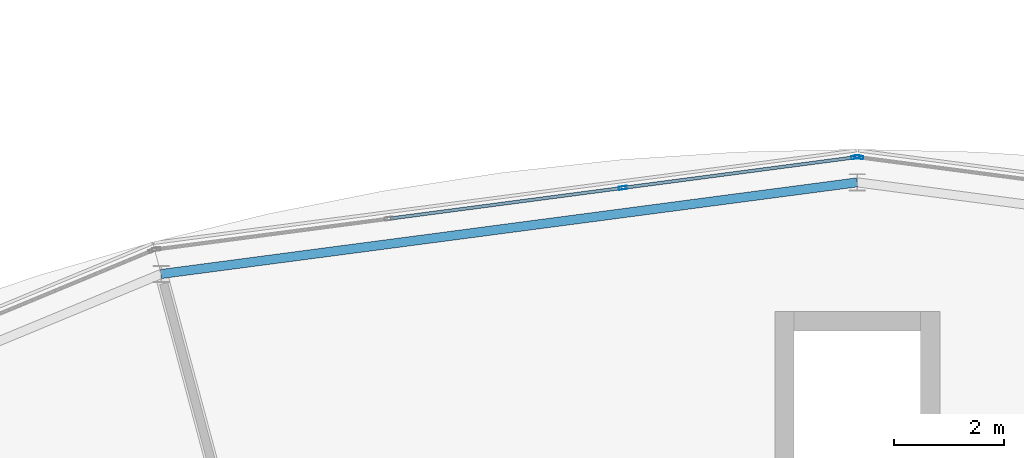
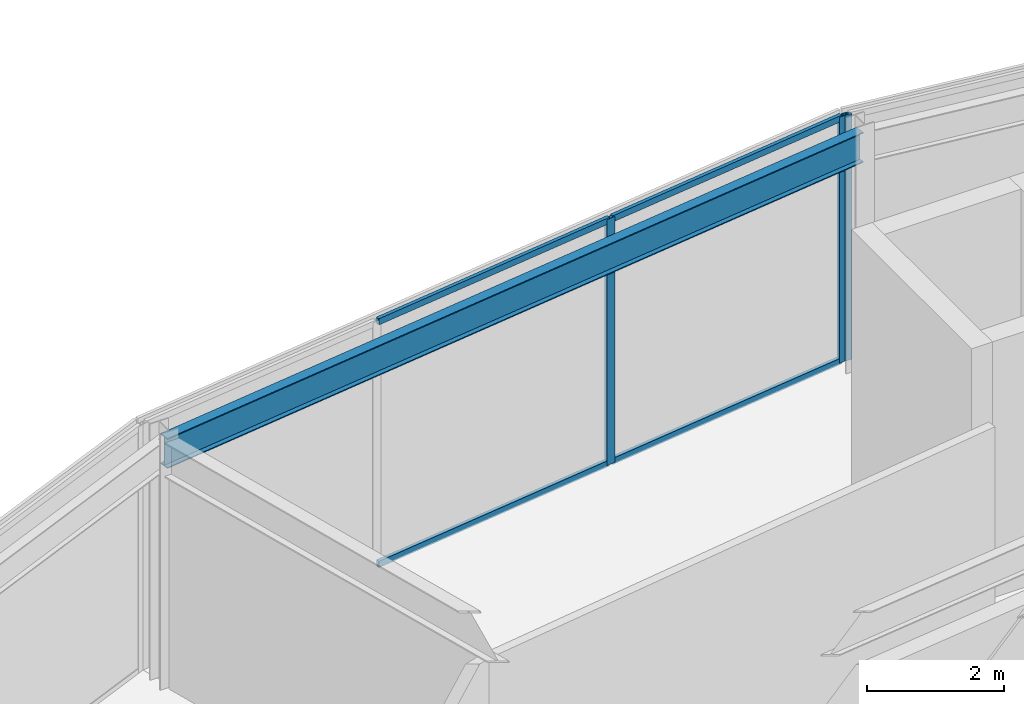
# One storey, part 63 of 116: 7 members, 1 beam, 2 elements without a shape of their own.
"""IFC4 building model written with IfcOpenShell, lengths in metres."""

from ifc_helpers import new_model, si_unit, direction, frame, origin, origin_2d, place, context, subcontext, project, spatial, hollow_rectangle, i_section, extrude, material, material_profile, profile_set, type_object, element, aggregate, save


model = new_model("IFC4")

# Units and contexts
model_context = context("Model", 3, precision=1e-05, world=origin(), true_north=direction((0.0, 1.0)))
body_context = subcontext(model_context, "Body", "Model", "MODEL_VIEW")
ifc_project = project(units=[si_unit("LENGTHUNIT", "METRE"), si_unit("AREAUNIT", "SQUARE_METRE"), si_unit("VOLUMEUNIT", "CUBIC_METRE"), si_unit("PLANEANGLEUNIT", "RADIAN"), si_unit("MASSUNIT", "GRAM", prefix="KILO")], contexts=[model_context])

# Site, building, storey
site_placement = place(None, origin())
site = spatial("IfcSite", under=ifc_project, at=site_placement, CompositionType="ELEMENT")
building_placement = place(site_placement, origin())
building = spatial("IfcBuilding", under=site, at=building_placement, Name="Almandine Court Research Institute", CompositionType="ELEMENT")
storey_placement = place(building_placement, frame((0.0, 0.0, 14.35009765625)))
storey = spatial("IfcBuildingStorey", under=building, at=storey_placement, Name="L03", CompositionType="ELEMENT", Elevation=14.35009765625)

# Beam
ifc_material_1 = material(Name="Steel ASTM A992 Grade 50", Category="steel")
ifc_material_profile_1 = material_profile(ifc_material_1, i_section(OverallWidth=0.166015625, OverallDepth=0.534912109375, WebThickness=0.010009765625, FlangeThickness=0.01708984375, at=origin_2d()), Name="W530x85")
ifc_profile_set_1 = profile_set([ifc_material_profile_1], Name="Steel ASTM A992 Grade 50")
beam_type = type_object("IfcBeamType", Name="Beam-G-05-E", PredefinedType="SPANDREL", material=ifc_profile_set_1)
beam_placement = place(storey_placement, frame((87.0, 104.89990234375, 4.102783203125), z_axis=(-0.991446677504, -0.130512396599, 0.0), x_axis=(0.130512396599, -0.991446677504, 0.0)))
element("IfcBeam", 1, at=beam_placement, inside=storey, type_object=beam_type, Name="L03 Drum OUT Ring Beam 06", PredefinedType="SPANDREL", context=body_context, shape_type="SweptSolid", body=[
    extrude(i_section(OverallWidth=0.166015625, OverallDepth=0.534912109375, WebThickness=0.010009765625, FlangeThickness=0.01708984375, at=origin_2d()), origin(), (0.0, 0.0, 1.0), 12.76513671875),
])

# Curtain wall, member
ifc_material_2 = material(Name="Unitised Curtain Wall Framing and Solar Glazing", Category="glass")
curtain_wall_type = type_object("IfcCurtainWallType", Name="CW-CWG-20", PredefinedType="USERDEFINED", material=ifc_material_2)
curtain_wall_1_placement = place(storey_placement, origin())
curtain_wall_1 = element("IfcCurtainWall", 2, at=curtain_wall_1_placement, inside=storey, type_object=curtain_wall_type, Name="L03 Stacked-Ring Drum Outer Unitised Glazing 05", ObjectType="UNITISED GLAZING", PredefinedType="USERDEFINED")
ifc_material_3 = material(Name="Anodised Aluminium AW-6063-T6", Category="aluminium")
ifc_material_profile_2 = material_profile(ifc_material_3, hollow_rectangle(XDim=0.06005859375, YDim=0.14990234375, WallThickness=0.00390625, at=origin_2d()), Name="ALU RHS 60x150x4")
ifc_profile_set_2 = profile_set([ifc_material_profile_2], Name="Anodised Aluminium AW-6063-T6")
member_type_1 = type_object("IfcMemberType", Name="CWMul-60x150", PredefinedType="MULLION", material=ifc_profile_set_2)
member_1_placement = place(storey_placement, frame((87.03369140625, 105.356201171875, 0.0), z_axis=(0.0, 0.0, 1.0), x_axis=(0.130540891259, 0.991442926098, 0.0)))
member_1 = element("IfcMember", 3, at=member_1_placement, type_object=member_type_1, Name="CWG-20 mullion 1", PredefinedType="MULLION", context=body_context, shape_type="SweptSolid", body=[
    extrude(hollow_rectangle(XDim=0.06005859375, YDim=0.14990234375, WallThickness=0.00390625, at=origin_2d()), origin(), (0.0, 0.0, 1.0), 4.369873046875),
])
aggregate(curtain_wall_1, [member_1])

# Curtain wall, members
curtain_wall_2_placement = place(storey_placement, origin())
curtain_wall_2 = element("IfcCurtainWall", 4, at=curtain_wall_2_placement, inside=storey, type_object=curtain_wall_type, Name="L03 Stacked-Ring Drum Outer Unitised Glazing 06", ObjectType="UNITISED GLAZING", PredefinedType="USERDEFINED")
member_2_placement = place(storey_placement, frame((82.740234375, 104.799560546875, 0.0), z_axis=(0.0, 0.0, 1.0), x_axis=(-0.130540891259, 0.991442926098, 0.0)))
member_2 = element("IfcMember", 5, at=member_2_placement, type_object=member_type_1, Name="CWG-20 mullion 3", PredefinedType="MULLION", context=body_context, shape_type="SweptSolid", body=[
    extrude(hollow_rectangle(XDim=0.06005859375, YDim=0.14990234375, WallThickness=0.00390625, at=origin_2d()), origin(), (0.0, 0.0, 1.0), 4.369873046875),
])
member_3_placement = place(storey_placement, frame((86.96630859375, 105.356201171875, 0.0), z_axis=(0.0, 0.0, 1.0), x_axis=(-0.130540891259, 0.991442926098, 0.0)))
member_3 = element("IfcMember", 6, at=member_3_placement, type_object=member_type_1, Name="CWG-20 mullion 4", PredefinedType="MULLION", context=body_context, shape_type="SweptSolid", body=[
    extrude(hollow_rectangle(XDim=0.06005859375, YDim=0.14990234375, WallThickness=0.00390625, at=origin_2d()), origin(), (0.0, 0.0, 1.0), 4.369873046875),
])
ifc_material_profile_3 = material_profile(ifc_material_3, hollow_rectangle(XDim=0.06005859375, YDim=0.110107421875, WallThickness=0.00390625, at=origin_2d()), Name="ALU RHS 60x110x4")
ifc_profile_set_3 = profile_set([ifc_material_profile_3], Name="Anodised Aluminium AW-6063-T6")
member_type_2 = type_object("IfcMemberType", Name="CWTrn-60x110", PredefinedType="NOTDEFINED", material=ifc_profile_set_3)
member_4_placement = place(storey_placement, frame((78.514404296875, 104.2431640625, 0.02978515625), z_axis=(0.991443690345, 0.130535086761, 0.0), x_axis=(-0.130535086761, 0.991443690345, 0.0)))
member_4 = element("IfcMember", 7, at=member_4_placement, type_object=member_type_2, Name="CWG-20 transom 2.1", ObjectType="TRANSOM", PredefinedType="USERDEFINED", context=body_context, shape_type="SweptSolid", body=[
    extrude(hollow_rectangle(XDim=0.06005859375, YDim=0.110107421875, WallThickness=0.00390625, at=origin_2d()), origin(), (0.0, 0.0, 1.0), 4.232421875),
])
member_5_placement = place(storey_placement, frame((78.514404296875, 104.2431640625, 4.33984375), z_axis=(0.991443690345, 0.130535086761, 0.0), x_axis=(-0.130535086761, 0.991443690345, 0.0)))
member_5 = element("IfcMember", 8, at=member_5_placement, type_object=member_type_2, Name="CWG-20 transom 2.2", ObjectType="TRANSOM", PredefinedType="USERDEFINED", context=body_context, shape_type="SweptSolid", body=[
    extrude(hollow_rectangle(XDim=0.06005859375, YDim=0.110107421875, WallThickness=0.00390625, at=origin_2d()), origin(), (0.0, 0.0, 1.0), 4.232421875),
])
member_6_placement = place(storey_placement, frame((82.77001953125, 104.803466796875, 0.02978515625), z_axis=(0.991443218791, 0.130538668266, 0.0), x_axis=(-0.130538668266, 0.991443218791, 0.0)))
member_6 = element("IfcMember", 9, at=member_6_placement, type_object=member_type_2, Name="CWG-20 transom 3.1", ObjectType="TRANSOM", PredefinedType="USERDEFINED", context=body_context, shape_type="SweptSolid", body=[
    extrude(hollow_rectangle(XDim=0.06005859375, YDim=0.110107421875, WallThickness=0.00390625, at=origin_2d()), origin(), (0.0, 0.0, 1.0), 4.202392578125),
])
member_7_placement = place(storey_placement, frame((82.77001953125, 104.803466796875, 4.33984375), z_axis=(0.991443218791, 0.130538668266, 0.0), x_axis=(-0.130538668266, 0.991443218791, 0.0)))
member_7 = element("IfcMember", 10, at=member_7_placement, type_object=member_type_2, Name="CWG-20 transom 3.2", ObjectType="TRANSOM", PredefinedType="USERDEFINED", context=body_context, shape_type="SweptSolid", body=[
    extrude(hollow_rectangle(XDim=0.06005859375, YDim=0.110107421875, WallThickness=0.00390625, at=origin_2d()), origin(), (0.0, 0.0, 1.0), 4.202392578125),
])
aggregate(curtain_wall_2, [member_2, member_3, member_4, member_5, member_6, member_7])

save(model, "model.ifc")
